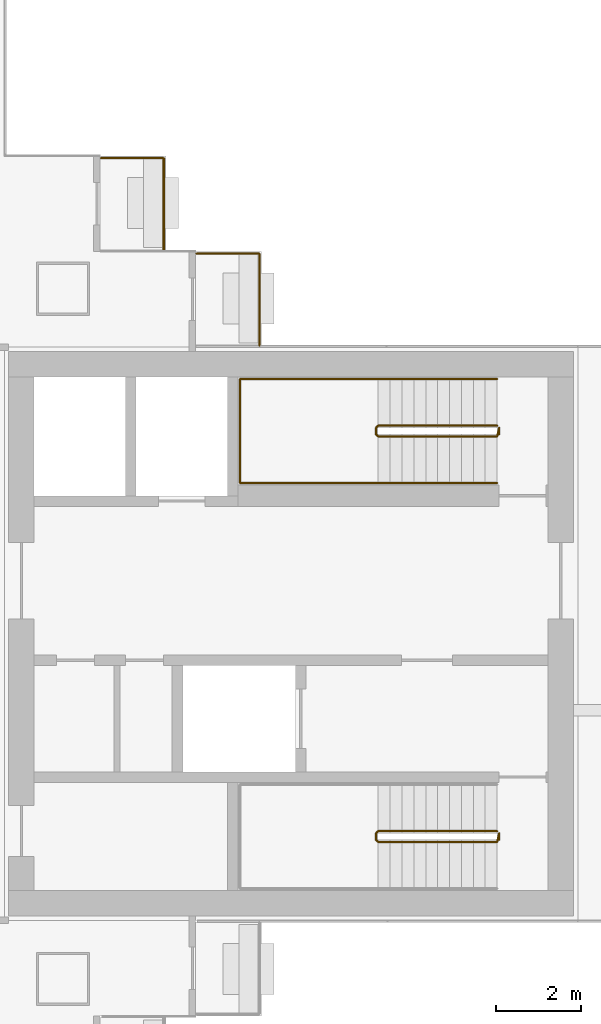
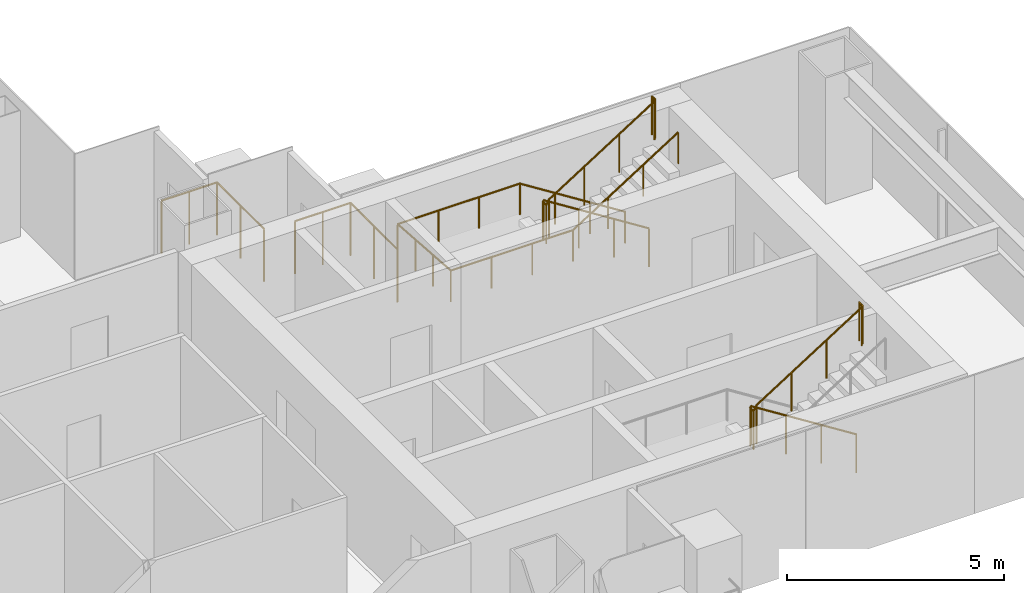
# One storey, part 18 of 19: 5 railings.
"""IFC4 building model written with IfcOpenShell, lengths in metres."""

from ifc_helpers import new_model, si_unit, direction, frame, origin, origin_2d, place, context, subcontext, project, spatial, circle, extrude, material, type_object, element, save


model = new_model("IFC4")

# Units and contexts
model_context = context("Model", 3, precision=1e-05, world=origin(), true_north=direction((0.0, 1.0)))
body_context = subcontext(model_context, "Body", "Model", "MODEL_VIEW")
ifc_project = project(units=[si_unit("LENGTHUNIT", "METRE"), si_unit("AREAUNIT", "SQUARE_METRE"), si_unit("VOLUMEUNIT", "CUBIC_METRE"), si_unit("PLANEANGLEUNIT", "RADIAN"), si_unit("MASSUNIT", "GRAM", prefix="KILO")], contexts=[model_context])

# Site, building, storey
site_placement = place(None, origin())
site = spatial("IfcSite", under=ifc_project, at=site_placement, CompositionType="ELEMENT")
building_placement = place(site_placement, origin())
building = spatial("IfcBuilding", under=site, at=building_placement, Name="Shamsa Quay Exchange Towers", CompositionType="ELEMENT")
storey_placement = place(building_placement, frame((0.0, 0.0, 89.699951171875)))
storey = spatial("IfcBuildingStorey", under=building, at=storey_placement, Name="L20", CompositionType="ELEMENT", Elevation=89.699951171875)

# Railings
ifc_material_1 = material(Name="Steel S355, black powder-coated", Category="steel")
railing_type_1 = type_object("IfcRailingType", Name="BALCONY GUARD 1500", PredefinedType="GUARDRAIL", material=ifc_material_1)
for number, where, name in (
    (1, (44.25, 9.0380859375, 0.0), "Balcony guard T2-PKES L20"),
    (2, (46.5, 6.7880859375, 0.0), "Balcony guard T2-PKES L20"),
):
    element("IfcRailing", number, at=place(storey_placement, frame(where)), inside=storey, type_object=railing_type_1, Name=name, PredefinedType="GUARDRAIL", context=body_context, shape_type="SweptSolid", body=[
        extrude(circle(Radius=0.02392578125, at=origin_2d()), frame((0.0, 0.0, 1.47607421875), z_axis=(0.0, 1.0, 0.0), x_axis=(-1.0, 0.0, 0.0)), (0.0, 0.0, 1.0), 2.161865234375),
        extrude(circle(Radius=0.02392578125, at=origin_2d()), frame((0.0, 2.161865234375, 1.47607421875), z_axis=(-1.0, 0.0, 0.0), x_axis=(0.0, -1.0, 0.0)), (0.0, 0.0, 1.0), 1.47900390625),
        extrude(circle(Radius=0.02099609375, at=origin_2d()), origin(), (0.0, 0.0, 1.0), 1.451904296875),
        extrude(circle(Radius=0.02099609375, at=origin_2d()), frame((0.0, 1.0810546875, 0.0)), (0.0, 0.0, 1.0), 1.451904296875),
        extrude(circle(Radius=0.02099609375, at=origin_2d()), frame((0.0, 2.161865234375, 0.0)), (0.0, 0.0, 1.0), 1.451904296875),
        extrude(circle(Radius=0.02099609375, at=origin_2d()), frame((-0.739501953125, 2.161865234375, 0.0)), (0.0, 0.0, 1.0), 1.451904296875),
        extrude(circle(Radius=0.02099609375, at=origin_2d()), frame((-1.47900390625, 2.161865234375, 0.0)), (0.0, 0.0, 1.0), 1.451904296875),
    ])
ifc_material_2 = material(Name="Stainless steel", Category="steel")
railing_type_2 = type_object("IfcRailingType", Name="STAIR GUARD 1100", PredefinedType="GUARDRAIL", material=ifc_material_2)
railing_1_placement = place(storey_placement, frame((52.10009765625, -4.64990234375, 0.17724609375)))
element("IfcRailing", 3, at=railing_1_placement, inside=storey, type_object=railing_type_2, Name="L20 ST5 stair guard 1", PredefinedType="GUARDRAIL", context=body_context, shape_type="SweptSolid", body=[
    extrude(circle(Radius=0.02392578125, at=origin_2d()), frame((0.0, 0.0, 1.076171875), z_axis=(-0.844908973607, 0.0, 0.534910110503), x_axis=(0.0, -1.0, 0.0)), (0.0, 0.0, 1.0), 3.31396484375),
    extrude(circle(Radius=0.02392578125, at=origin_2d()), frame((-2.800048828125, 0.0, 2.8486328125), z_axis=(-0.707106781187, -0.707106781187, 0.0), x_axis=(0.707106781187, -0.707106781187, 0.0)), (0.0, 0.0, 1.0), 0.07080078125),
    extrude(circle(Radius=0.02392578125, at=origin_2d()), frame((-2.85009765625, -0.050048828125, 2.8486328125), z_axis=(0.0, -1.0, 0.0), x_axis=(1.0, 0.0, 0.0)), (0.0, 0.0, 1.0), 0.150146484375),
    extrude(circle(Radius=0.02392578125, at=origin_2d()), frame((-2.85009765625, -0.2001953125, 2.8486328125), z_axis=(0.262009983441, -0.260731885961, 0.929176868105), x_axis=(0.705375805398, 0.708833529934, 0.0)), (0.0, 0.0, 1.0), 0.19091796875),
    extrude(circle(Radius=0.02392578125, at=origin_2d()), frame((-2.800048828125, -0.25, 3.0263671875), z_axis=(0.844908973607, 0.0, 0.534910110503), x_axis=(0.0, 1.0, 0.0)), (0.0, 0.0, 1.0), 3.31396484375),
    extrude(circle(Radius=0.02392578125, at=origin_2d()), frame((0.0, -0.25, 4.798828125), z_axis=(0.241699205484, 0.970351222016, 0.0), x_axis=(-0.970351222016, 0.241699205484, 0.0)), (0.0, 0.0, 1.0), 0.2060546875),
    extrude(circle(Radius=0.02392578125, at=origin_2d()), frame((0.0498046875, -0.050048828125, 4.798828125), z_axis=(0.0, -1.0, 0.0), x_axis=(1.0, 0.0, 0.0)), (0.0, 0.0, 1.0), 0.150146484375),
    extrude(circle(Radius=0.02099609375, at=origin_2d()), origin(), (0.0, 0.0, 1.0), 1.052001953125),
    extrude(circle(Radius=0.02099609375, at=origin_2d()), frame((-0.933349609375, 0.0, 0.5908203125)), (0.0, 0.0, 1.0), 1.052001953125),
    extrude(circle(Radius=0.02099609375, at=origin_2d()), frame((-1.86669921875, 0.0, 1.181884765625)), (0.0, 0.0, 1.0), 1.052001953125),
    extrude(circle(Radius=0.02099609375, at=origin_2d()), frame((-2.800048828125, 0.0, 1.772705078125)), (0.0, 0.0, 1.0), 1.052001953125),
    extrude(circle(Radius=0.02099609375, at=origin_2d()), frame((-2.85009765625, -0.050048828125, 1.772705078125)), (0.0, 0.0, 1.0), 1.052001953125),
    extrude(circle(Radius=0.02099609375, at=origin_2d()), frame((-2.85009765625, -0.2001953125, 1.772705078125)), (0.0, 0.0, 1.0), 1.052001953125),
    extrude(circle(Radius=0.02099609375, at=origin_2d()), frame((-2.800048828125, -0.25, 1.9501953125)), (0.0, 0.0, 1.0), 1.052001953125),
    extrude(circle(Radius=0.02099609375, at=origin_2d()), frame((-1.86669921875, -0.25, 2.541015625)), (0.0, 0.0, 1.0), 1.052001953125),
    extrude(circle(Radius=0.02099609375, at=origin_2d()), frame((-0.933349609375, -0.25, 3.132080078125)), (0.0, 0.0, 1.0), 1.052001953125),
    extrude(circle(Radius=0.02099609375, at=origin_2d()), frame((0.0, -0.25, 3.722900390625)), (0.0, 0.0, 1.0), 1.052001953125),
    extrude(circle(Radius=0.02099609375, at=origin_2d()), frame((0.0498046875, -0.050048828125, 3.722900390625)), (0.0, 0.0, 1.0), 1.052001953125),
    extrude(circle(Radius=0.02099609375, at=origin_2d()), frame((0.0498046875, -0.2001953125, 3.722900390625)), (0.0, 0.0, 1.0), 1.052001953125),
])
railing_2_placement = place(storey_placement, frame((52.10009765625, 4.89990234375, 0.17724609375)))
element("IfcRailing", 4, at=railing_2_placement, inside=storey, type_object=railing_type_2, Name="L20 ST6 stair guard 1", PredefinedType="GUARDRAIL", context=body_context, shape_type="SweptSolid", body=[
    extrude(circle(Radius=0.02392578125, at=origin_2d()), frame((0.0, 0.0, 1.076171875), z_axis=(-0.844908973607, 0.0, 0.534910110503), x_axis=(0.0, -1.0, 0.0)), (0.0, 0.0, 1.0), 3.31396484375),
    extrude(circle(Radius=0.02392578125, at=origin_2d()), frame((-2.800048828125, 0.0, 2.8486328125), z_axis=(-0.708833529934, -0.705375805398, 0.0), x_axis=(0.705375805398, -0.708833529934, 0.0)), (0.0, 0.0, 1.0), 0.070556640625),
    extrude(circle(Radius=0.02392578125, at=origin_2d()), frame((-2.85009765625, -0.0498046875, 2.8486328125), z_axis=(0.0, -1.0, 0.0), x_axis=(1.0, 0.0, 0.0)), (0.0, 0.0, 1.0), 0.150146484375),
    extrude(circle(Radius=0.02392578125, at=origin_2d()), frame((-2.85009765625, -0.199951171875, 2.8486328125), z_axis=(0.261922500866, -0.261922500866, 0.928866625022), x_axis=(0.707106781187, 0.707106781187, 0.0)), (0.0, 0.0, 1.0), 0.191162109375),
    extrude(circle(Radius=0.02392578125, at=origin_2d()), frame((-2.800048828125, -0.25, 3.0263671875), z_axis=(0.844908973607, 0.0, 0.534910110503), x_axis=(0.0, 1.0, 0.0)), (0.0, 0.0, 1.0), 3.31396484375),
    extrude(circle(Radius=0.02392578125, at=origin_2d()), frame((0.0, -0.25, 4.798828125), z_axis=(0.24142163986, 0.970420317083, 0.0), x_axis=(-0.970420317083, 0.24142163986, 0.0)), (0.0, 0.0, 1.0), 0.206298828125),
    extrude(circle(Radius=0.02392578125, at=origin_2d()), frame((0.0498046875, -0.0498046875, 4.798828125), z_axis=(0.0, -1.0, 0.0), x_axis=(1.0, 0.0, 0.0)), (0.0, 0.0, 1.0), 0.150146484375),
    extrude(circle(Radius=0.02099609375, at=origin_2d()), origin(), (0.0, 0.0, 1.0), 1.052001953125),
    extrude(circle(Radius=0.02099609375, at=origin_2d()), frame((-0.933349609375, 0.0, 0.5908203125)), (0.0, 0.0, 1.0), 1.052001953125),
    extrude(circle(Radius=0.02099609375, at=origin_2d()), frame((-1.86669921875, 0.0, 1.181884765625)), (0.0, 0.0, 1.0), 1.052001953125),
    extrude(circle(Radius=0.02099609375, at=origin_2d()), frame((-2.800048828125, 0.0, 1.772705078125)), (0.0, 0.0, 1.0), 1.052001953125),
    extrude(circle(Radius=0.02099609375, at=origin_2d()), frame((-2.85009765625, -0.0498046875, 1.772705078125)), (0.0, 0.0, 1.0), 1.052001953125),
    extrude(circle(Radius=0.02099609375, at=origin_2d()), frame((-2.85009765625, -0.199951171875, 1.772705078125)), (0.0, 0.0, 1.0), 1.052001953125),
    extrude(circle(Radius=0.02099609375, at=origin_2d()), frame((-2.800048828125, -0.25, 1.9501953125)), (0.0, 0.0, 1.0), 1.052001953125),
    extrude(circle(Radius=0.02099609375, at=origin_2d()), frame((-1.86669921875, -0.25, 2.541015625)), (0.0, 0.0, 1.0), 1.052001953125),
    extrude(circle(Radius=0.02099609375, at=origin_2d()), frame((-0.933349609375, -0.25, 3.132080078125)), (0.0, 0.0, 1.0), 1.052001953125),
    extrude(circle(Radius=0.02099609375, at=origin_2d()), frame((0.0, -0.25, 3.722900390625)), (0.0, 0.0, 1.0), 1.052001953125),
    extrude(circle(Radius=0.02099609375, at=origin_2d()), frame((0.0498046875, -0.0498046875, 3.722900390625)), (0.0, 0.0, 1.0), 1.052001953125),
    extrude(circle(Radius=0.02099609375, at=origin_2d()), frame((0.0498046875, -0.199951171875, 3.722900390625)), (0.0, 0.0, 1.0), 1.052001953125),
])
railing_type_3 = type_object("IfcRailingType", Name="STAIR HANDRAIL 900", PredefinedType="HANDRAIL", material=ifc_material_2)
railing_3_placement = place(storey_placement, frame((52.10009765625, 6.0, 0.17724609375)))
element("IfcRailing", 5, at=railing_3_placement, inside=storey, type_object=railing_type_3, Name="L20 ST6 stair handrail 1", PredefinedType="HANDRAIL", context=body_context, shape_type="SweptSolid", body=[
    extrude(circle(Radius=0.02392578125, at=origin_2d()), frame((0.0, 0.0, 0.8759765625), z_axis=(-0.844908973607, 0.0, 0.534910110503), x_axis=(0.0, -1.0, 0.0)), (0.0, 0.0, 1.0), 3.31396484375),
    extrude(circle(Radius=0.02392578125, at=origin_2d()), frame((-2.800048828125, 0.0, 2.6484375), z_axis=(-1.0, 0.0, 0.0), x_axis=(0.0, -1.0, 0.0)), (0.0, 0.0, 1.0), 3.25),
    extrude(circle(Radius=0.02392578125, at=origin_2d()), frame((-6.050048828125, 0.0, 2.6484375), z_axis=(0.0, -0.997386041853, 0.072257065513), x_axis=(1.0, 0.0, 0.0)), (0.0, 0.0, 1.0), 2.456298828125),
    extrude(circle(Radius=0.02392578125, at=origin_2d()), frame((-6.050048828125, -2.449951171875, 2.826171875), z_axis=(1.0, 0.0, 0.0), x_axis=(0.0, 1.0, 0.0)), (0.0, 0.0, 1.0), 3.25),
    extrude(circle(Radius=0.02392578125, at=origin_2d()), frame((-2.800048828125, -2.449951171875, 2.826171875), z_axis=(0.844908973607, 0.0, 0.534910110503), x_axis=(0.0, 1.0, 0.0)), (0.0, 0.0, 1.0), 3.31396484375),
    extrude(circle(Radius=0.02099609375, at=origin_2d()), origin(), (0.0, 0.0, 1.0), 0.851806640625),
    extrude(circle(Radius=0.02099609375, at=origin_2d()), frame((-0.933349609375, 0.0, 0.5908203125)), (0.0, 0.0, 1.0), 0.851806640625),
    extrude(circle(Radius=0.02099609375, at=origin_2d()), frame((-1.86669921875, 0.0, 1.181884765625)), (0.0, 0.0, 1.0), 0.851806640625),
    extrude(circle(Radius=0.02099609375, at=origin_2d()), frame((-2.800048828125, 0.0, 1.772705078125)), (0.0, 0.0, 1.0), 0.851806640625),
    extrude(circle(Radius=0.02099609375, at=origin_2d()), frame((-3.88330078125, 0.0, 1.772705078125)), (0.0, 0.0, 1.0), 0.851806640625),
    extrude(circle(Radius=0.02099609375, at=origin_2d()), frame((-4.966796875, 0.0, 1.772705078125)), (0.0, 0.0, 1.0), 0.851806640625),
    extrude(circle(Radius=0.02099609375, at=origin_2d()), frame((-6.050048828125, 0.0, 1.772705078125)), (0.0, 0.0, 1.0), 0.851806640625),
    extrude(circle(Radius=0.02099609375, at=origin_2d()), frame((-6.050048828125, -0.816650390625, 1.831787109375)), (0.0, 0.0, 1.0), 0.851806640625),
    extrude(circle(Radius=0.02099609375, at=origin_2d()), frame((-6.050048828125, -1.63330078125, 1.89111328125)), (0.0, 0.0, 1.0), 0.851806640625),
    extrude(circle(Radius=0.02099609375, at=origin_2d()), frame((-6.050048828125, -2.449951171875, 1.9501953125)), (0.0, 0.0, 1.0), 0.851806640625),
    extrude(circle(Radius=0.02099609375, at=origin_2d()), frame((-4.966796875, -2.449951171875, 1.9501953125)), (0.0, 0.0, 1.0), 0.851806640625),
    extrude(circle(Radius=0.02099609375, at=origin_2d()), frame((-3.88330078125, -2.449951171875, 1.9501953125)), (0.0, 0.0, 1.0), 0.851806640625),
    extrude(circle(Radius=0.02099609375, at=origin_2d()), frame((-2.800048828125, -2.449951171875, 1.9501953125)), (0.0, 0.0, 1.0), 0.851806640625),
    extrude(circle(Radius=0.02099609375, at=origin_2d()), frame((-1.86669921875, -2.449951171875, 2.541015625)), (0.0, 0.0, 1.0), 0.851806640625),
    extrude(circle(Radius=0.02099609375, at=origin_2d()), frame((-0.933349609375, -2.449951171875, 3.132080078125)), (0.0, 0.0, 1.0), 0.851806640625),
    extrude(circle(Radius=0.02099609375, at=origin_2d()), frame((0.0, -2.449951171875, 3.722900390625)), (0.0, 0.0, 1.0), 0.851806640625),
])

save(model, "model.ifc")
